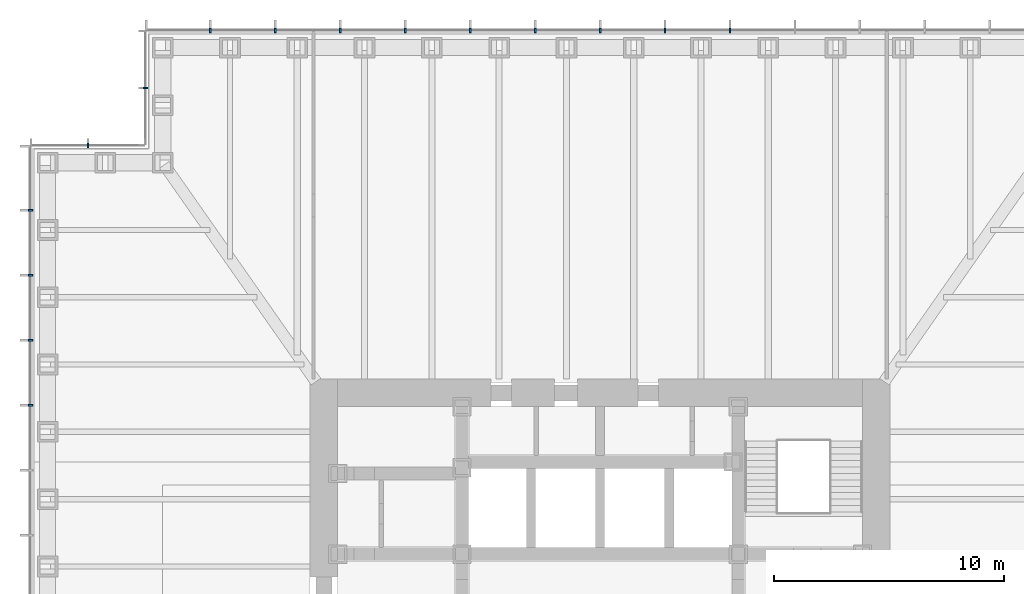
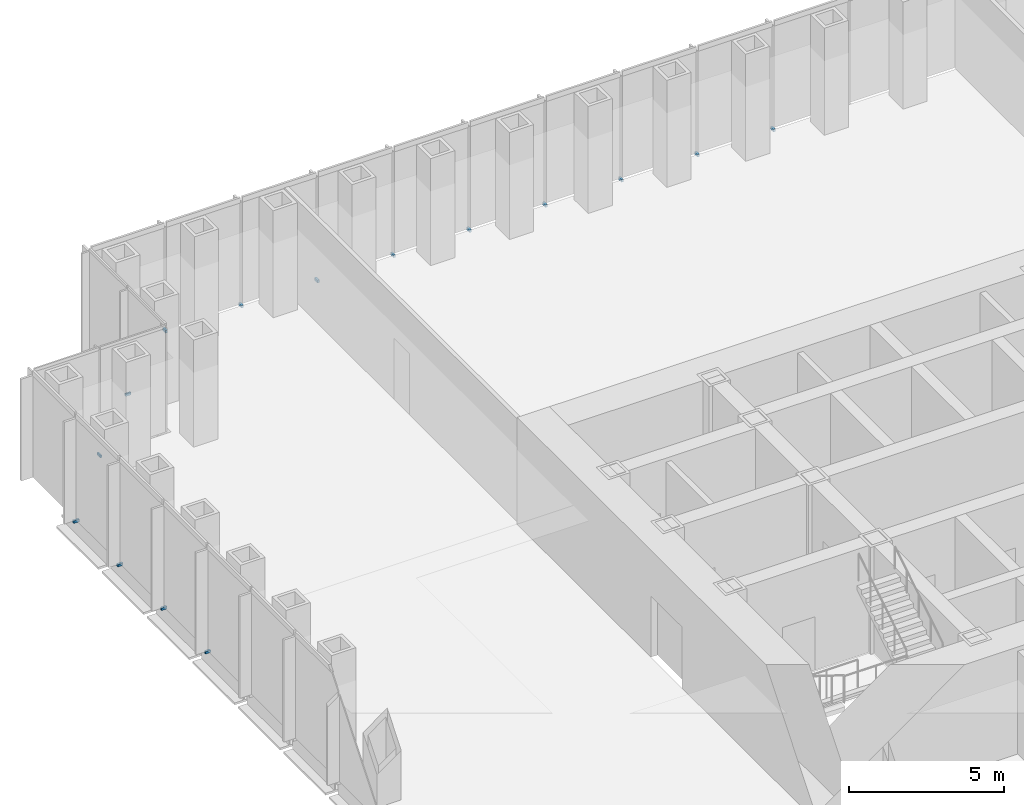
# One storey, part 14 of 16: 15 discrete accessories.
"""IFC4 building model written with IfcOpenShell, lengths in metres."""

from ifc_helpers import new_model, si_unit, direction, frame, origin, origin_2d, place, context, subcontext, project, spatial, rectangle, extrude, element, save


model = new_model("IFC4")

# Units and contexts
model_context = context("Model", 3, precision=1e-05, world=origin(), true_north=direction((0.0, 1.0)))
body_context = subcontext(model_context, "Body", "Model", "MODEL_VIEW")
ifc_project = project(units=[si_unit("LENGTHUNIT", "METRE"), si_unit("AREAUNIT", "SQUARE_METRE"), si_unit("VOLUMEUNIT", "CUBIC_METRE"), si_unit("PLANEANGLEUNIT", "RADIAN"), si_unit("MASSUNIT", "GRAM", prefix="KILO")], contexts=[model_context])

# Site, building, storey
site_placement = place(None, origin())
site = spatial("IfcSite", under=ifc_project, at=site_placement, CompositionType="ELEMENT")
building_placement = place(site_placement, origin())
building = spatial("IfcBuilding", under=site, at=building_placement, Name="Daluyong Arena Tower", CompositionType="ELEMENT")
storey_placement = place(building_placement, frame((0.0, 0.0, 76.89990234375)))
storey = spatial("IfcBuildingStorey", under=building, at=storey_placement, Name="L16", CompositionType="ELEMENT", Elevation=76.89990234375)

# Discrete accessories
for number, where, z_axis, x_axis, name in (
    (1, (61.642822265625, 104.75, -0.099853515625), (0.0, 0.0, 1.0), (-1.0, 0.0, 0.0), "curtain wall L16 N anchor bracket 6"),
    (2, (58.821533203125, 104.75, -0.099853515625), (0.0, 0.0, 1.0), (-1.0, 0.0, 0.0), "curtain wall L16 N anchor bracket 7"),
    (3, (56.0, 104.75, -0.099853515625), (0.0, 0.0, 1.0), (-1.0, 0.0, 0.0), "curtain wall L16 N anchor bracket 8"),
    (4, (53.178466796875, 104.75, -0.099853515625), (0.0, 0.0, 1.0), (-1.0, 0.0, 0.0), "curtain wall L16 N anchor bracket 9"),
    (5, (50.357177734375, 104.75, -0.099853515625), (0.0, 0.0, 1.0), (-1.0, 0.0, 0.0), "curtain wall L16 N anchor bracket 10"),
    (6, (47.53564453125, 104.75, -0.099853515625), (0.0, 0.0, 1.0), (-1.0, 0.0, 0.0), "curtain wall L16 N anchor bracket 11"),
    (7, (44.71435546875, 104.75, -0.099853515625), (0.0, 0.0, 1.0), (-1.0, 0.0, 0.0), "curtain wall L16 N anchor bracket 12"),
    (8, (41.892822265625, 104.75, -0.099853515625), (0.0, 0.0, 1.0), (-1.0, 0.0, 0.0), "curtain wall L16 N anchor bracket 13"),
    (9, (39.071533203125, 104.75, -0.099853515625), (0.0, 0.0, 1.0), (-1.0, 0.0, 0.0), "curtain wall L16 N anchor bracket 14"),
):
    element("IfcDiscreteAccessory", number, at=place(storey_placement, frame(where, z_axis=z_axis, x_axis=x_axis)), inside=storey, Name=name, PredefinedType="BRACKET", context=body_context, shape_type="SweptSolid", body=[
        extrude(rectangle(XDim=0.080078125, YDim=0.199951171875, at=origin_2d()), origin(), (0.0, 0.0, 1.0), 0.10009765625),
    ])
for number, where, z_axis, x_axis, name in (
    (10, (36.25, 102.25, -0.099853515625), (0.0, 0.0, 1.0), (0.0, -1.0, 0.0), "curtain wall L16 NW-W anchor bracket 2"),
    (11, (33.75, 99.75, -0.099853515625), (0.0, 0.0, 1.0), (-1.0, 0.0, 0.0), "curtain wall L16 NW-N anchor bracket 2"),
):
    element("IfcDiscreteAccessory", number, at=place(storey_placement, frame(where, z_axis=z_axis, x_axis=x_axis)), inside=storey, Name=name, PredefinedType="BRACKET", context=body_context, shape_type="SweptSolid", body=[
        extrude(rectangle(XDim=0.06005859375, YDim=0.199951171875, at=origin_2d()), origin(), (0.0, 0.0, 1.0), 0.10009765625),
    ])
for number, where, z_axis, x_axis, name in (
    (12, (31.25, 96.928466796875, -0.099853515625), (0.0, 0.0, 1.0), (0.0, -1.0, 0.0), "curtain wall L16 W anchor bracket 2"),
    (13, (31.25, 94.107177734375, -0.099853515625), (0.0, 0.0, 1.0), (0.0, -1.0, 0.0), "curtain wall L16 W anchor bracket 3"),
    (14, (31.25, 91.28564453125, -0.099853515625), (0.0, 0.0, 1.0), (0.0, -1.0, 0.0), "curtain wall L16 W anchor bracket 4"),
    (15, (31.25, 88.46435546875, -0.099853515625), (0.0, 0.0, 1.0), (0.0, -1.0, 0.0), "curtain wall L16 W anchor bracket 5"),
):
    element("IfcDiscreteAccessory", number, at=place(storey_placement, frame(where, z_axis=z_axis, x_axis=x_axis)), inside=storey, Name=name, PredefinedType="BRACKET", context=body_context, shape_type="SweptSolid", body=[
        extrude(rectangle(XDim=0.080078125, YDim=0.199951171875, at=origin_2d()), origin(), (0.0, 0.0, 1.0), 0.10009765625),
    ])

save(model, "model.ifc")
